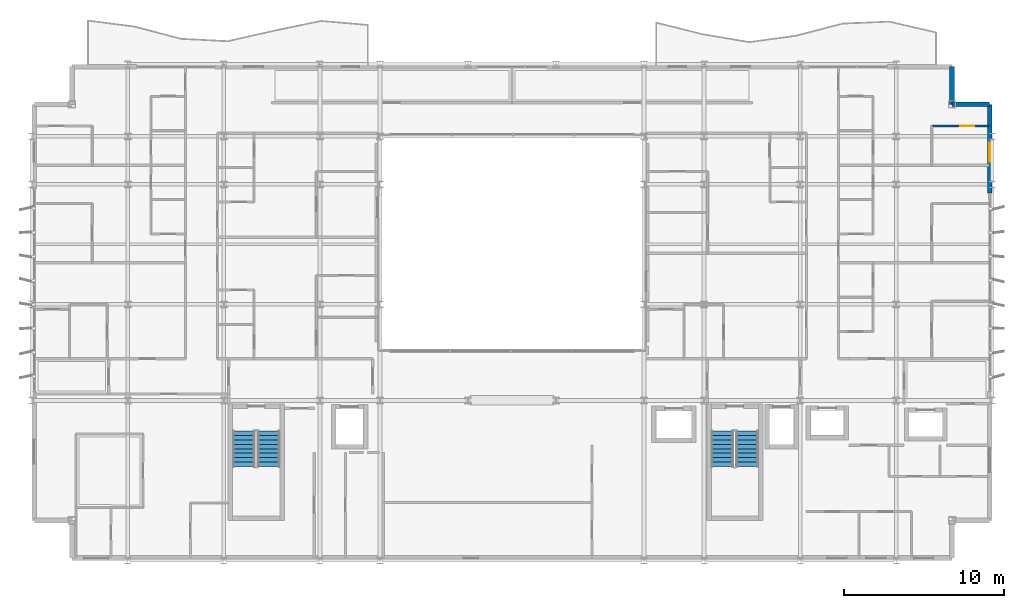
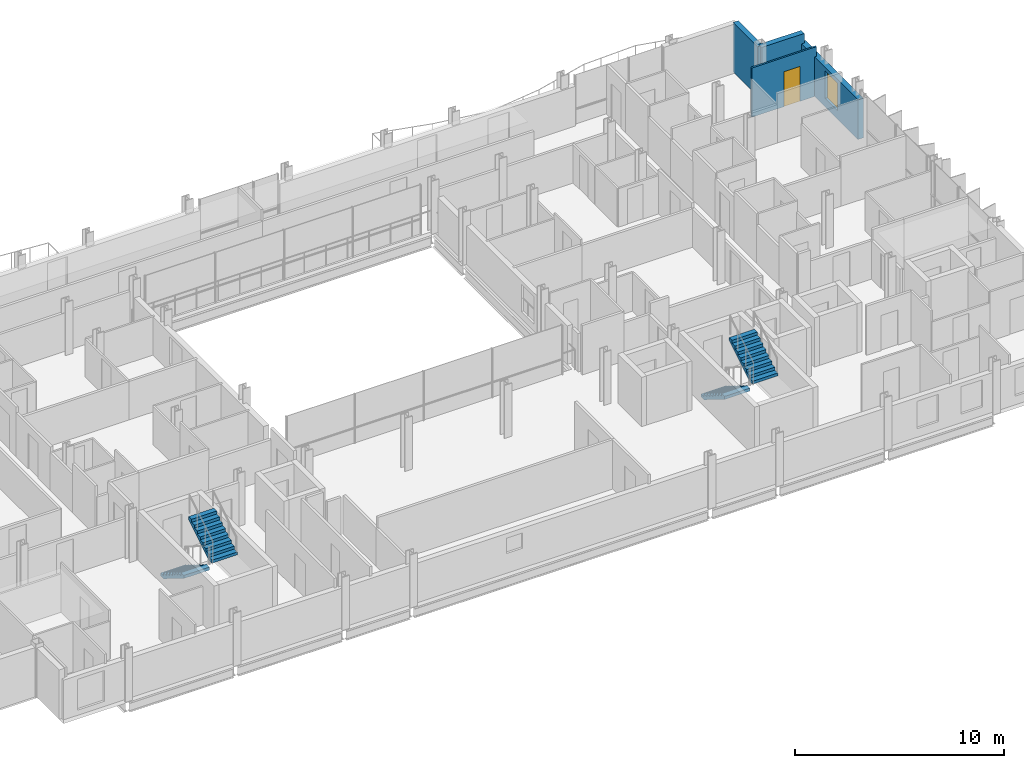
# One storey, part 33 of 39: 4 stair flights, 4 walls, 1 door, 1 window, 2 openings, 2 elements without a shape of their own.
"""IFC4 building model written with IfcOpenShell, lengths in metres."""

from ifc_helpers import new_model, si_unit, direction, frame, frame_2d, origin, place, context, subcontext, project, spatial, polyline, rectangle, outline, extrude, material, layer, layer_set, type_object, element, fill, aggregate, save


model = new_model("IFC4")

# Units and contexts
model_context = context("Model", 3, precision=1e-05, world=origin(), true_north=direction((0.0, 1.0)))
body_context = subcontext(model_context, "Body", "Model", "MODEL_VIEW")
ifc_project = project(units=[si_unit("LENGTHUNIT", "METRE"), si_unit("AREAUNIT", "SQUARE_METRE"), si_unit("VOLUMEUNIT", "CUBIC_METRE"), si_unit("PLANEANGLEUNIT", "RADIAN"), si_unit("MASSUNIT", "GRAM", prefix="KILO")], contexts=[model_context])

# Site, building, storey
site_placement = place(None, origin())
site = spatial("IfcSite", under=ifc_project, at=site_placement, CompositionType="ELEMENT")
building_placement = place(site_placement, origin())
building = spatial("IfcBuilding", under=site, at=building_placement, Name="Brevholm Reach", CompositionType="ELEMENT")
storey_placement = place(building_placement, frame((0.0, 0.0, 103.5)))
storey = spatial("IfcBuildingStorey", under=building, at=storey_placement, Name="L30", CompositionType="ELEMENT", Elevation=103.5)

# Walls
ifc_material_1 = material(Name="Concrete C40/50", Category="concrete")
ifc_layer_1 = layer(ifc_material_1, 0.300048828125)
ifc_layer_set_1 = layer_set([ifc_layer_1], Name="Concrete C40/50")
wall_type_1 = type_object("IfcWallType", Name="WAL-EXT-300", PredefinedType="STANDARD", material=ifc_layer_set_1)
for number, where, z_axis, x_axis, name in (
    (1, (59.85009765625, 28.5, 0.0), (0.0, 0.0, 1.0), (-1.0, 0.0, 0.0), "L30 Facade Wall WAL-L30-CNE1"),
    (2, (57.5, 28.5, 0.0), (0.0, 0.0, 1.0), (0.0, 1.0, 0.0), "L30 Facade Wall WAL-L30-CNE2"),
):
    element("IfcWall", number, at=place(storey_placement, frame(where, z_axis=z_axis, x_axis=x_axis)), inside=storey, type_object=wall_type_1, Name=name, PredefinedType="STANDARD", context=body_context, shape_type="SweptSolid", body=[
        extrude(rectangle(XDim=2.35009765625, YDim=0.300048828125, at=frame_2d((1.175048828125, 0.0))), origin(), (0.0, 0.0, 1.0), 2.8798828125),
    ])

# Wall, opening, window
wall_1_placement = place(storey_placement, frame((59.85009765625, 22.949951171875, 0.0), z_axis=(0.0, 0.0, 1.0), x_axis=(0.0, 1.0, 0.0)))
wall_1 = element("IfcWall", 3, at=wall_1_placement, inside=storey, type_object=wall_type_1, Name="L30 Facade Wall WAL-L30-E-N", PredefinedType="STANDARD", context=body_context, shape_type="SweptSolid", body=[
    extrude(rectangle(XDim=5.550048828125, YDim=0.300048828125, at=frame_2d((2.77490234375, 0.0))), origin(), (0.0, 0.0, 1.0), 2.322021484375),
])
opening_1_placement = place(wall_1_placement, frame((1.949951171875, 0.0, 0.501953125)))
opening_1 = element("IfcOpeningElement", 4, at=opening_1_placement, cuts=wall_1, Name="Opening WN-08", PredefinedType="OPENING", context=body_context, shape_type="SweptSolid", body=[
    extrude(rectangle(XDim=1.199951171875, YDim=1.60009765625, at=frame_2d((0.60009765625, 0.800048828125))), frame((0.0, 0.159912109375, 0.0), z_axis=(0.0, -1.0, 0.0), x_axis=(1.0, 0.0, 0.0)), (0.0, 0.0, 1.0), 0.320068359375),
])
ifc_material_2 = material(Name="Dark Anodised Aluminium and Solar-Control IGU Glass", Category="aluminium")
window_type = type_object("IfcWindowType", Name="WIN-RES-1200", PartitioningType="SINGLE_PANEL", PredefinedType="WINDOW", material=ifc_material_2)
window_placement = place(opening_1_placement, origin())
window = element("IfcWindow", 5, at=window_placement, inside=storey, type_object=window_type, Name="L30 Window WIN-L30-EN-1", OverallHeight=1.60009765625, OverallWidth=1.199951171875, PartitioningType="SINGLE_PANEL", PredefinedType="WINDOW", context=body_context, shape_type="SweptSolid", body=[
    extrude(rectangle(XDim=1.199951171875, YDim=1.60009765625, at=frame_2d((0.60009765625, 0.800048828125))), frame((0.0, 0.030029296875, 0.0), z_axis=(0.0, -1.0, 0.0), x_axis=(1.0, 0.0, 0.0)), (0.0, 0.0, 1.0), 0.06005859375),
])
fill(opening_1, window)

# Wall, opening, door
ifc_material_3 = material(Name="Moisture-Resistant Acoustic Gypsum Stud Partition 100 mm", Category="gypsum")
ifc_layer_2 = layer(ifc_material_3, 0.10009765625)
ifc_layer_set_2 = layer_set([ifc_layer_2], Name="Moisture-Resistant Acoustic Gypsum Stud Partition 100 mm")
wall_type_2 = type_object("IfcWallType", Name="WAL-PRT-100", PredefinedType="PARTITIONING", material=ifc_layer_set_2)
wall_2_placement = place(storey_placement, frame((56.22802734375, 27.14990234375, 0.0), z_axis=(0.0, 0.0, 1.0), x_axis=(1.0, 0.0, 0.0)))
wall_2 = element("IfcWall", 6, at=wall_2_placement, inside=storey, type_object=wall_type_2, Name="L30 Internal Partition 162", PredefinedType="PARTITIONING", context=body_context, shape_type="SweptSolid", body=[
    extrude(rectangle(XDim=3.572021484375, YDim=0.10009765625, at=frame_2d((1.7861328125, 0.0))), origin(), (0.0, 0.0, 1.0), 2.8798828125),
])
opening_2_placement = place(wall_2_placement, frame((1.785888671875, 0.0, 0.0)))
opening_2 = element("IfcOpeningElement", 7, at=opening_2_placement, cuts=wall_2, Name="Opening ID-01", PredefinedType="OPENING", context=body_context, shape_type="SweptSolid", body=[
    extrude(rectangle(XDim=0.8798828125, YDim=2.0400390625, at=frame_2d((0.43994140625, 1.02001953125))), frame((0.0, 0.06005859375, 0.0), z_axis=(0.0, -1.0, 0.0), x_axis=(1.0, 0.0, 0.0)), (0.0, 0.0, 1.0), 0.1201171875),
])
ifc_material_4 = material(Name="Lacquered Ash Solid-Core Acoustic Internal Door", Category="timber")
door_type = type_object("IfcDoorType", Name="DOR-INT-880", OperationType="NOTDEFINED", PredefinedType="DOOR", material=ifc_material_4)
door_placement = place(opening_2_placement, origin())
door = element("IfcDoor", 8, at=door_placement, inside=storey, type_object=door_type, Name="L30 Internal Door 061", OperationType="SINGLE_SWING_LEFT", OverallHeight=2.0400390625, OverallWidth=0.8798828125, PredefinedType="DOOR", context=body_context, shape_type="SweptSolid", body=[
    extrude(rectangle(XDim=0.8798828125, YDim=2.0400390625, at=frame_2d((0.43994140625, 1.02001953125))), frame((0.0, 0.02490234375, 0.0), z_axis=(0.0, -1.0, 0.0), x_axis=(1.0, 0.0, 0.0)), (0.0, 0.0, 1.0), 0.050048828125),
])
fill(opening_2, door)

# Stair, stair flights
ifc_material_5 = material(Name="Precast Concrete C40/50", Category="concrete")
stair_type = type_object("IfcStairType", Name="STR-ESC-1400", PredefinedType="DOUBLE_RETURN_STAIR", material=ifc_material_5)
stair_1_placement = place(storey_placement, origin())
stair_1 = element("IfcStair", 9, at=stair_1_placement, inside=storey, type_object=stair_type, Name="L30 ST-1", PredefinedType="DOUBLE_RETURN_STAIR")
ifc_material_6 = material(Name="Precast Concrete C40/50", Category="concrete")
ifc_layer_3 = layer(ifc_material_6, 0.18505859375)
ifc_layer_set_3 = layer_set([ifc_layer_3], Name="Precast Concrete C40/50")
stair_flight_type = type_object("IfcStairFlightType", Name="STF-PRC-185", PredefinedType="STRAIGHT", material=ifc_layer_set_3)
stair_flight_1_placement = place(storey_placement, frame((13.25, 8.10009765625, 0.0), z_axis=(0.0, 0.0, 1.0), x_axis=(0.0, -1.0, 0.0)))
stair_flight_1 = element("IfcStairFlight", 10, at=stair_flight_1_placement, type_object=stair_flight_type, Name="ST-1 flight 1", NumberOfRisers=9, NumberOfTreads=8, PredefinedType="STRAIGHT", RiserHeight=0.172222222, TreadLength=0.28, context=body_context, shape_type="SweptSolid", body=[
    extrude(outline(polyline([(0.0, 0.0), (0.0, 0.172119140625), (0.280029296875, 0.172119140625), (0.280029296875, 0.344482421875), (0.56005859375, 0.344482421875), (0.56005859375, 0.5166015625), (0.840087890625, 0.5166015625), (0.840087890625, 0.68896484375), (1.1201171875, 0.68896484375), (1.1201171875, 0.861083984375), (1.39990234375, 0.861083984375), (1.39990234375, 1.033447265625), (1.679931640625, 1.033447265625), (1.679931640625, 1.20556640625), (1.9599609375, 1.20556640625), (1.9599609375, 1.377685546875), (2.239990234375, 1.377685546875), (2.239990234375, 1.550048828125), (2.239990234375, 1.201904296875), (0.2861328125, 0.0), (0.0, 0.0)])), frame((0.0, 0.699951171875, 0.0), z_axis=(0.0, -1.0, 0.0), x_axis=(1.0, 0.0, 0.0)), (0.0, 0.0, 1.0), 1.39990234375),
])
stair_flight_2_placement = place(storey_placement, frame((14.800048828125, 5.860107421875, 1.550048828125), z_axis=(0.0, 0.0, 1.0), x_axis=(0.0, 1.0, 0.0)))
stair_flight_2 = element("IfcStairFlight", 11, at=stair_flight_2_placement, type_object=stair_flight_type, Name="ST-1 flight 2", NumberOfRisers=9, NumberOfTreads=8, PredefinedType="STRAIGHT", RiserHeight=0.172222222, TreadLength=0.28, context=body_context, shape_type="SweptSolid", body=[
    extrude(outline(polyline([(0.0, 0.0), (0.0, 0.172119140625), (0.280029296875, 0.172119140625), (0.280029296875, 0.344482421875), (0.56005859375, 0.344482421875), (0.56005859375, 0.5166015625), (0.840087890625, 0.5166015625), (0.840087890625, 0.68896484375), (1.1201171875, 0.68896484375), (1.1201171875, 0.861083984375), (1.39990234375, 0.861083984375), (1.39990234375, 1.033447265625), (1.679931640625, 1.033447265625), (1.679931640625, 1.20556640625), (1.9599609375, 1.20556640625), (1.9599609375, 1.377685546875), (2.239990234375, 1.377685546875), (2.239990234375, 1.550048828125), (2.239990234375, 1.201904296875), (0.2861328125, 0.0), (0.0, 0.0)])), frame((0.0, 0.699951171875, 0.0), z_axis=(0.0, -1.0, 0.0), x_axis=(1.0, 0.0, 0.0)), (0.0, 0.0, 1.0), 1.39990234375),
])
aggregate(stair_1, [stair_flight_1, stair_flight_2])

stair_2_placement = place(storey_placement, origin())
stair_2 = element("IfcStair", 12, at=stair_2_placement, inside=storey, type_object=stair_type, Name="L30 ST-2", PredefinedType="DOUBLE_RETURN_STAIR")
stair_flight_3_placement = place(storey_placement, frame((43.14990234375, 8.10009765625, 0.0), z_axis=(0.0, 0.0, 1.0), x_axis=(0.0, -1.0, 0.0)))
stair_flight_3 = element("IfcStairFlight", 13, at=stair_flight_3_placement, type_object=stair_flight_type, Name="ST-2 flight 1", NumberOfRisers=9, NumberOfTreads=8, PredefinedType="STRAIGHT", RiserHeight=0.172222222, TreadLength=0.28, context=body_context, shape_type="SweptSolid", body=[
    extrude(outline(polyline([(0.0, 0.0), (0.0, 0.172119140625), (0.280029296875, 0.172119140625), (0.280029296875, 0.344482421875), (0.56005859375, 0.344482421875), (0.56005859375, 0.5166015625), (0.840087890625, 0.5166015625), (0.840087890625, 0.68896484375), (1.1201171875, 0.68896484375), (1.1201171875, 0.861083984375), (1.39990234375, 0.861083984375), (1.39990234375, 1.033447265625), (1.679931640625, 1.033447265625), (1.679931640625, 1.20556640625), (1.9599609375, 1.20556640625), (1.9599609375, 1.377685546875), (2.239990234375, 1.377685546875), (2.239990234375, 1.550048828125), (2.239990234375, 1.201904296875), (0.2861328125, 0.0), (0.0, 0.0)])), frame((0.0, 0.699951171875, 0.0), z_axis=(0.0, -1.0, 0.0), x_axis=(1.0, 0.0, 0.0)), (0.0, 0.0, 1.0), 1.39990234375),
])
stair_flight_4_placement = place(storey_placement, frame((44.699951171875, 5.860107421875, 1.550048828125), z_axis=(0.0, 0.0, 1.0), x_axis=(0.0, 1.0, 0.0)))
stair_flight_4 = element("IfcStairFlight", 14, at=stair_flight_4_placement, type_object=stair_flight_type, Name="ST-2 flight 2", NumberOfRisers=9, NumberOfTreads=8, PredefinedType="STRAIGHT", RiserHeight=0.172222222, TreadLength=0.28, context=body_context, shape_type="SweptSolid", body=[
    extrude(outline(polyline([(0.0, 0.0), (0.0, 0.172119140625), (0.280029296875, 0.172119140625), (0.280029296875, 0.344482421875), (0.56005859375, 0.344482421875), (0.56005859375, 0.5166015625), (0.840087890625, 0.5166015625), (0.840087890625, 0.68896484375), (1.1201171875, 0.68896484375), (1.1201171875, 0.861083984375), (1.39990234375, 0.861083984375), (1.39990234375, 1.033447265625), (1.679931640625, 1.033447265625), (1.679931640625, 1.20556640625), (1.9599609375, 1.20556640625), (1.9599609375, 1.377685546875), (2.239990234375, 1.377685546875), (2.239990234375, 1.550048828125), (2.239990234375, 1.201904296875), (0.2861328125, 0.0), (0.0, 0.0)])), frame((0.0, 0.699951171875, 0.0), z_axis=(0.0, -1.0, 0.0), x_axis=(1.0, 0.0, 0.0)), (0.0, 0.0, 1.0), 1.39990234375),
])
aggregate(stair_2, [stair_flight_3, stair_flight_4])

save(model, "model.ifc")
